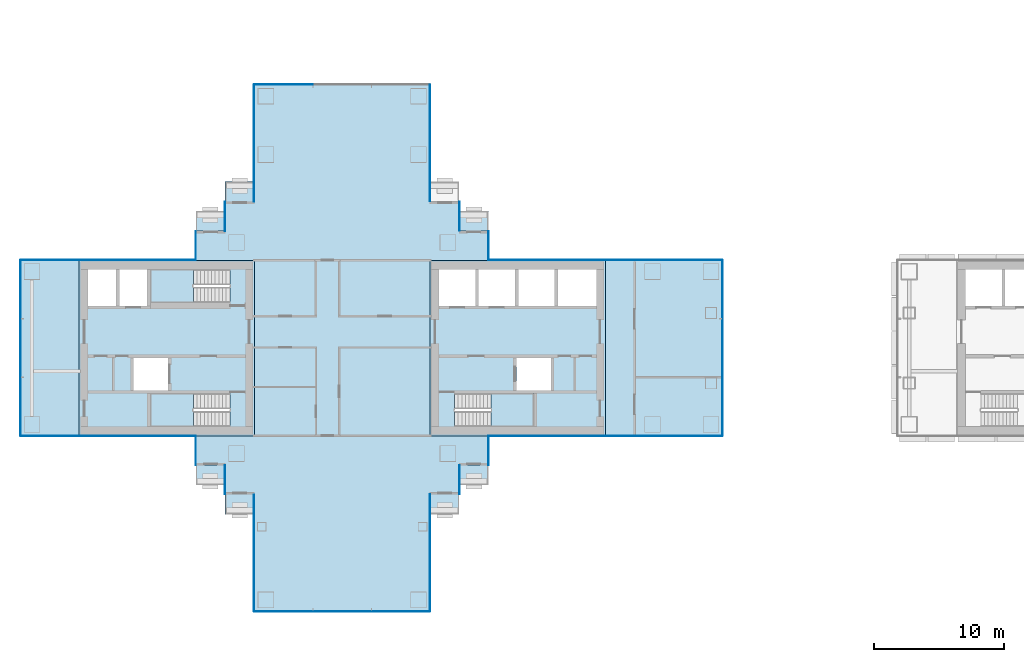
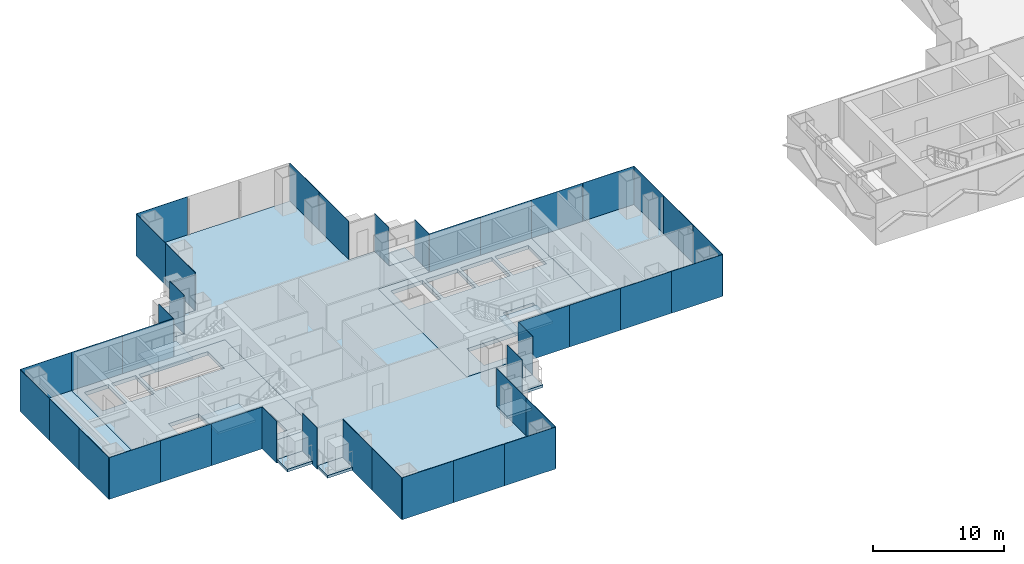
# One storey, part 8 of 19: 40 plates, 15 slabs, 23 elements without a shape of their own.
"""IFC4 building model written with IfcOpenShell, lengths in metres."""

from ifc_helpers import new_model, si_unit, direction, frame, origin, origin_2d, place, context, subcontext, project, spatial, polyline, rectangle, outline, extrude, material, layer, layer_set, type_object, element, aggregate, save


model = new_model("IFC4")

# Units and contexts
model_context = context("Model", 3, precision=1e-05, world=origin(), true_north=direction((0.0, 1.0)))
body_context = subcontext(model_context, "Body", "Model", "MODEL_VIEW")
ifc_project = project(units=[si_unit("LENGTHUNIT", "METRE"), si_unit("AREAUNIT", "SQUARE_METRE"), si_unit("VOLUMEUNIT", "CUBIC_METRE"), si_unit("PLANEANGLEUNIT", "RADIAN"), si_unit("MASSUNIT", "GRAM", prefix="KILO")], contexts=[model_context])

# Site, building, storey
site_placement = place(None, origin())
site = spatial("IfcSite", under=ifc_project, at=site_placement, CompositionType="ELEMENT")
building_placement = place(site_placement, origin())
building = spatial("IfcBuilding", under=site, at=building_placement, Name="Shamsa Quay Exchange Towers", CompositionType="ELEMENT")
storey_placement = place(building_placement, frame((0.0, 0.0, 85.800048828125)))
storey = spatial("IfcBuildingStorey", under=building, at=storey_placement, Name="L19", CompositionType="ELEMENT", Elevation=85.800048828125)

# Slabs
ifc_material_1 = material(Name="Precast concrete C40/50", Category="concrete")
ifc_layer_1 = layer(ifc_material_1, 0.25)
ifc_layer_set_1 = layer_set([ifc_layer_1], Name="BALCONY SLAB 250")
slab_type_1 = type_object("IfcSlabType", Name="BALCONY SLAB 250", PredefinedType="FLOOR", material=ifc_layer_set_1)
slab_1_placement = place(storey_placement, frame((0.0, 0.0, -0.25)))
element("IfcSlab", 1, at=slab_1_placement, inside=storey, type_object=slab_type_1, Name="Balcony T1-PKEN L19", PredefinedType="FLOOR", context=body_context, shape_type="SweptSolid", body=[
    extrude(outline(polyline([(-22.5, 9.0), (-24.7119140625, 9.0), (-24.7119140625, 10.550048828125), (-22.5, 10.550048828125), (-22.5, 9.0)])), origin(), (0.0, 0.0, 1.0), 0.25),
])
slab_2_placement = place(storey_placement, frame((0.0, 0.0, -0.25)))
element("IfcSlab", 2, at=slab_2_placement, inside=storey, type_object=slab_type_1, Name="Balcony T1-PKES L19", PredefinedType="FLOOR", context=body_context, shape_type="SweptSolid", body=[
    extrude(outline(polyline([(-24.7119140625, -9.0), (-22.5, -9.0), (-22.5, -10.550048828125), (-24.7119140625, -10.550048828125), (-24.7119140625, -9.0)])), origin(), (0.0, 0.0, 1.0), 0.25),
])
slab_3_placement = place(storey_placement, frame((0.0, 0.0, -0.25)))
element("IfcSlab", 3, at=slab_3_placement, inside=storey, type_object=slab_type_1, Name="Balcony T1-PKES L19", PredefinedType="FLOOR", context=body_context, shape_type="SweptSolid", body=[
    extrude(outline(polyline([(-26.9619140625, -11.25), (-24.75, -11.25), (-24.75, -12.800048828125), (-26.9619140625, -12.800048828125), (-26.9619140625, -11.25)])), origin(), (0.0, 0.0, 1.0), 0.25),
])
slab_4_placement = place(storey_placement, frame((0.0, 0.0, -0.25)))
element("IfcSlab", 4, at=slab_4_placement, inside=storey, type_object=slab_type_1, Name="Balcony T1-PKWN L19", PredefinedType="FLOOR", context=body_context, shape_type="SweptSolid", body=[
    extrude(outline(polyline([(-40.5380859375, 11.25), (-42.75, 11.25), (-42.75, 12.800048828125), (-40.5380859375, 12.800048828125), (-40.5380859375, 11.25)])), origin(), (0.0, 0.0, 1.0), 0.25),
])
slab_5_placement = place(storey_placement, frame((0.0, 0.0, -0.25)))
element("IfcSlab", 5, at=slab_5_placement, inside=storey, type_object=slab_type_1, Name="Balcony T1-PKWN L19", PredefinedType="FLOOR", context=body_context, shape_type="SweptSolid", body=[
    extrude(outline(polyline([(-42.7880859375, 9.0), (-45.0, 9.0), (-45.0, 10.550048828125), (-42.7880859375, 10.550048828125), (-42.7880859375, 9.0)])), origin(), (0.0, 0.0, 1.0), 0.25),
])
slab_6_placement = place(storey_placement, frame((0.0, 0.0, -0.25)))
element("IfcSlab", 6, at=slab_6_placement, inside=storey, type_object=slab_type_1, Name="Balcony T1-PKWS L19", PredefinedType="FLOOR", context=body_context, shape_type="SweptSolid", body=[
    extrude(outline(polyline([(-45.0, -9.0), (-42.7880859375, -9.0), (-42.7880859375, -10.550048828125), (-45.0, -10.550048828125), (-45.0, -9.0)])), origin(), (0.0, 0.0, 1.0), 0.25),
])
slab_7_placement = place(storey_placement, frame((0.0, 0.0, -0.25)))
element("IfcSlab", 7, at=slab_7_placement, inside=storey, type_object=slab_type_1, Name="Balcony T1-PKWS L19", PredefinedType="FLOOR", context=body_context, shape_type="SweptSolid", body=[
    extrude(outline(polyline([(-42.75, -11.25), (-40.5380859375, -11.25), (-40.5380859375, -12.800048828125), (-42.75, -12.800048828125), (-42.75, -11.25)])), origin(), (0.0, 0.0, 1.0), 0.25),
])
ifc_material_2 = material(Name="Concrete C50/60", Category="concrete")
ifc_layer_2 = layer(ifc_material_2, 0.35009765625)
ifc_layer_set_2 = layer_set([ifc_layer_2], Name="CORE FLOOR 350 C50/60")
slab_type_2 = type_object("IfcSlabType", Name="CORE FLOOR 350 C50/60", PredefinedType="FLOOR", material=ifc_layer_set_2)
slab_8_placement = place(storey_placement, frame((0.0, 0.0, -0.35009765625)))
element("IfcSlab", 8, at=slab_8_placement, inside=storey, type_object=slab_type_2, Name="Core floor T1A", PredefinedType="FLOOR", context=body_context, shape_type="SweptSolid", body=[
    extrude(outline(polyline([(-27.0, -6.75), (-13.5, -6.75), (-13.5, 6.75), (-27.0, 6.75), (-27.0, -6.75)]), holes=[polyline([(-25.099365234375, -6.050048828125), (-25.099365234375, -3.5), (-19.0, -3.5), (-19.0, -6.050048828125), (-25.099365234375, -6.050048828125)]), polyline([(-26.300048828125, 3.25), (-26.300048828125, 6.050048828125), (-23.5, 6.050048828125), (-23.5, 3.25), (-26.300048828125, 3.25)]), polyline([(-23.25, 3.25), (-23.25, 6.050048828125), (-20.449951171875, 6.050048828125), (-20.449951171875, 3.25), (-23.25, 3.25)]), polyline([(-20.199951171875, 3.25), (-20.199951171875, 6.050048828125), (-17.39990234375, 6.050048828125), (-17.39990234375, 3.25), (-20.199951171875, 3.25)]), polyline([(-17.14990234375, 3.25), (-17.14990234375, 6.050048828125), (-14.199951171875, 6.050048828125), (-14.199951171875, 3.25), (-17.14990234375, 3.25)]), polyline([(-20.35009765625, -3.25), (-20.35009765625, -0.75), (-17.699951171875, -0.75), (-17.699951171875, -3.25), (-20.35009765625, -3.25)])]), origin(), (0.0, 0.0, 1.0), 0.35009765625),
])
slab_9_placement = place(storey_placement, frame((0.0, 0.0, -0.35009765625)))
element("IfcSlab", 9, at=slab_9_placement, inside=storey, type_object=slab_type_2, Name="Core floor T1B", PredefinedType="FLOOR", context=body_context, shape_type="SweptSolid", body=[
    extrude(outline(polyline([(-40.5, -6.75), (-40.5, 6.75), (-54.0, 6.75), (-54.0, -6.75), (-40.5, -6.75)]), holes=[polyline([(-42.400634765625, -3.5), (-42.400634765625, -6.050048828125), (-48.5, -6.050048828125), (-48.5, -3.5), (-42.400634765625, -3.5)]), polyline([(-42.400634765625, 6.050048828125), (-42.400634765625, 3.5), (-48.5, 3.5), (-48.5, 6.050048828125), (-42.400634765625, 6.050048828125)]), polyline([(-48.75, 3.25), (-50.89990234375, 3.25), (-50.89990234375, 6.050048828125), (-48.75, 6.050048828125), (-48.75, 3.25)]), polyline([(-51.14990234375, 3.25), (-53.300048828125, 3.25), (-53.300048828125, 6.050048828125), (-51.14990234375, 6.050048828125), (-51.14990234375, 3.25)]), polyline([(-47.14990234375, -3.25), (-49.800048828125, -3.25), (-49.800048828125, -0.75), (-47.14990234375, -0.75), (-47.14990234375, -3.25)])]), origin(), (0.0, 0.0, 1.0), 0.35009765625),
])

# Stair, slab
ifc_material_3 = material(Name="Concrete C40/50", Category="concrete")
stair_type = type_object("IfcStairType", Name="EXIT STAIR 22 RISERS 177 MM", PredefinedType="HALF_TURN_STAIR", material=ifc_material_3)
stair_1_placement = place(storey_placement, origin())
stair_1 = element("IfcStair", 10, at=stair_1_placement, inside=storey, type_object=stair_type, Name="L19 Exit stair ST1", PredefinedType="HALF_TURN_STAIR")
ifc_layer_3 = layer(ifc_material_3, 0.199951171875)
ifc_layer_set_3 = layer_set([ifc_layer_3], Name="CORE STAIR LANDING")
slab_type_3 = type_object("IfcSlabType", Name="CORE STAIR LANDING", PredefinedType="LANDING", material=ifc_layer_set_3)
slab_10_placement = place(storey_placement, frame((0.0, 0.0, 1.75)))
slab_10 = element("IfcSlab", 11, at=slab_10_placement, type_object=slab_type_3, Name="ST1 landing 1", PredefinedType="LANDING", context=body_context, shape_type="SweptSolid", body=[
    extrude(outline(polyline([(-22.300048828125, -6.050048828125), (-19.0, -6.050048828125), (-19.0, -3.5), (-22.300048828125, -3.5), (-22.300048828125, -6.050048828125)])), origin(), (0.0, 0.0, 1.0), 0.199951171875),
])
aggregate(stair_1, [slab_10])

stair_2_placement = place(storey_placement, origin())
stair_2 = element("IfcStair", 12, at=stair_2_placement, inside=storey, type_object=stair_type, Name="L19 Exit stair ST2", PredefinedType="HALF_TURN_STAIR")
slab_11_placement = place(storey_placement, frame((0.0, 0.0, 1.75)))
slab_11 = element("IfcSlab", 13, at=slab_11_placement, type_object=slab_type_3, Name="ST2 landing 1", PredefinedType="LANDING", context=body_context, shape_type="SweptSolid", body=[
    extrude(outline(polyline([(-45.199951171875, -3.5), (-48.5, -3.5), (-48.5, -6.050048828125), (-45.199951171875, -6.050048828125), (-45.199951171875, -3.5)])), origin(), (0.0, 0.0, 1.0), 0.199951171875),
])
aggregate(stair_2, [slab_11])

stair_3_placement = place(storey_placement, origin())
stair_3 = element("IfcStair", 14, at=stair_3_placement, inside=storey, type_object=stair_type, Name="L19 Exit stair ST3", PredefinedType="HALF_TURN_STAIR")
slab_12_placement = place(storey_placement, frame((0.0, 0.0, 1.75)))
slab_12 = element("IfcSlab", 15, at=slab_12_placement, type_object=slab_type_3, Name="ST3 landing 1", PredefinedType="LANDING", context=body_context, shape_type="SweptSolid", body=[
    extrude(outline(polyline([(-45.199951171875, 6.050048828125), (-48.5, 6.050048828125), (-48.5, 3.5), (-45.199951171875, 3.5), (-45.199951171875, 6.050048828125)])), origin(), (0.0, 0.0, 1.0), 0.199951171875),
])
aggregate(stair_3, [slab_12])

# Curtain wall, plates
ifc_material_4 = material(Name="Aluminium EN AW-6063 T6, black anodised", Category="aluminium")
ifc_layer_4 = layer(ifc_material_4, 0.280029296875)
ifc_layer_set_4 = layer_set([ifc_layer_4], Name="CW-1 UNITISED VISION GLASS")
curtain_wall_type_1 = type_object("IfcCurtainWallType", Name="CW-1 UNITISED VISION GLASS", PredefinedType="NOTDEFINED", material=ifc_layer_set_4)
curtain_wall_1_placement = place(storey_placement, origin())
curtain_wall_1 = element("IfcCurtainWall", 16, at=curtain_wall_1_placement, inside=storey, type_object=curtain_wall_type_1, Name="CW1 T1-FLK-V-W L19", PredefinedType="NOTDEFINED")
ifc_material_5 = material(Name="Glass, laminated, dark tinted", Category="glass")
ifc_layer_5 = layer(ifc_material_5, 0.0400390625)
ifc_layer_set_5 = layer_set([ifc_layer_5], Name="CW-1 VISION GLASS 40")
plate_type_1 = type_object("IfcPlateType", Name="CW-1 VISION GLASS 40", PredefinedType="CURTAIN_PANEL", material=ifc_layer_set_5)
plate_1_placement = place(storey_placement, frame((-40.52001953125, -13.52587890625, -0.35009765625), z_axis=(0.0, 0.0, 1.0), x_axis=(0.0, -1.0, 0.0)))
plate_1 = element("IfcPlate", 17, at=plate_1_placement, type_object=plate_type_1, Name="CW1 glass panel", PredefinedType="CURTAIN_PANEL", context=body_context, shape_type="SweptSolid", body=[
    extrude(rectangle(XDim=4.47607421875, YDim=0.0400390625, at=origin_2d()), origin(), (0.0, 0.0, 1.0), 3.89990234375),
])
plate_2_placement = place(storey_placement, frame((-40.52001953125, -18.011962890625, -0.35009765625), z_axis=(0.0, 0.0, 1.0), x_axis=(0.0, -1.0, 0.0)))
plate_2 = element("IfcPlate", 18, at=plate_2_placement, type_object=plate_type_1, Name="CW1 glass panel", PredefinedType="CURTAIN_PANEL", context=body_context, shape_type="SweptSolid", body=[
    extrude(rectangle(XDim=4.47607421875, YDim=0.0400390625, at=origin_2d()), origin(), (0.0, 0.0, 1.0), 3.89990234375),
])
aggregate(curtain_wall_1, [plate_1, plate_2])

curtain_wall_2_placement = place(storey_placement, origin())
curtain_wall_2 = element("IfcCurtainWall", 19, at=curtain_wall_2_placement, inside=storey, type_object=curtain_wall_type_1, Name="CW1 T1-END-V- L19", PredefinedType="NOTDEFINED")
plate_3_placement = place(storey_placement, frame((-38.25244140625, -20.27001953125, -0.35009765625)))
plate_3 = element("IfcPlate", 20, at=plate_3_placement, type_object=plate_type_1, Name="CW1 glass panel", PredefinedType="CURTAIN_PANEL", context=body_context, shape_type="SweptSolid", body=[
    extrude(rectangle(XDim=4.4951171875, YDim=0.0400390625, at=origin_2d()), origin(), (0.0, 0.0, 1.0), 3.89990234375),
])
plate_4_placement = place(storey_placement, frame((-33.75, -20.27001953125, -0.35009765625)))
plate_4 = element("IfcPlate", 21, at=plate_4_placement, type_object=plate_type_1, Name="CW1 glass panel", PredefinedType="CURTAIN_PANEL", context=body_context, shape_type="SweptSolid", body=[
    extrude(rectangle(XDim=4.489990234375, YDim=0.0400390625, at=origin_2d()), origin(), (0.0, 0.0, 1.0), 3.89990234375),
])
plate_5_placement = place(storey_placement, frame((-29.24755859375, -20.27001953125, -0.35009765625)))
plate_5 = element("IfcPlate", 22, at=plate_5_placement, type_object=plate_type_1, Name="CW1 glass panel", PredefinedType="CURTAIN_PANEL", context=body_context, shape_type="SweptSolid", body=[
    extrude(rectangle(XDim=4.4951171875, YDim=0.0400390625, at=origin_2d()), origin(), (0.0, 0.0, 1.0), 3.89990234375),
])
aggregate(curtain_wall_2, [plate_3, plate_4, plate_5])

curtain_wall_3_placement = place(storey_placement, origin())
curtain_wall_3 = element("IfcCurtainWall", 23, at=curtain_wall_3_placement, inside=storey, type_object=curtain_wall_type_1, Name="CW1 T1-FLK-V-E L19", PredefinedType="NOTDEFINED")
plate_6_placement = place(storey_placement, frame((-26.97998046875, -18.00244140625, -0.35009765625), z_axis=(0.0, 0.0, 1.0), x_axis=(0.0, 1.0, 0.0)))
plate_6 = element("IfcPlate", 24, at=plate_6_placement, type_object=plate_type_1, Name="CW1 glass panel", PredefinedType="CURTAIN_PANEL", context=body_context, shape_type="SweptSolid", body=[
    extrude(rectangle(XDim=4.4951171875, YDim=0.0400390625, at=origin_2d()), origin(), (0.0, 0.0, 1.0), 3.89990234375),
])
plate_7_placement = place(storey_placement, frame((-26.97998046875, -13.49755859375, -0.35009765625), z_axis=(0.0, 0.0, 1.0), x_axis=(0.0, 1.0, 0.0)))
plate_7 = element("IfcPlate", 25, at=plate_7_placement, type_object=plate_type_1, Name="CW1 glass panel", PredefinedType="CURTAIN_PANEL", context=body_context, shape_type="SweptSolid", body=[
    extrude(rectangle(XDim=4.4951171875, YDim=0.0400390625, at=origin_2d()), origin(), (0.0, 0.0, 1.0), 3.89990234375),
])
aggregate(curtain_wall_3, [plate_6, plate_7])

curtain_wall_4_placement = place(storey_placement, origin())
curtain_wall_4 = element("IfcCurtainWall", 26, at=curtain_wall_4_placement, inside=storey, type_object=curtain_wall_type_1, Name="CW1 T1-FLK-U+S L19", PredefinedType="NOTDEFINED")
plate_8_placement = place(storey_placement, frame((-11.25244140625, -6.77001953125, -0.35009765625)))
plate_8 = element("IfcPlate", 27, at=plate_8_placement, type_object=plate_type_1, Name="CW1 glass panel", PredefinedType="CURTAIN_PANEL", context=body_context, shape_type="SweptSolid", body=[
    extrude(rectangle(XDim=4.4951171875, YDim=0.0400390625, at=origin_2d()), origin(), (0.0, 0.0, 1.0), 3.89990234375),
])
plate_9_placement = place(storey_placement, frame((-6.74755859375, -6.77001953125, -0.35009765625)))
plate_9 = element("IfcPlate", 28, at=plate_9_placement, type_object=plate_type_1, Name="CW1 glass panel", PredefinedType="CURTAIN_PANEL", context=body_context, shape_type="SweptSolid", body=[
    extrude(rectangle(XDim=4.4951171875, YDim=0.0400390625, at=origin_2d()), origin(), (0.0, 0.0, 1.0), 3.89990234375),
])
aggregate(curtain_wall_4, [plate_8, plate_9])

curtain_wall_5_placement = place(storey_placement, origin())
curtain_wall_5 = element("IfcCurtainWall", 29, at=curtain_wall_5_placement, inside=storey, type_object=curtain_wall_type_1, Name="CW1 T1-END-U+ L19", PredefinedType="NOTDEFINED")
plate_10_placement = place(storey_placement, frame((-4.47998046875, -4.50244140625, -0.35009765625), z_axis=(0.0, 0.0, 1.0), x_axis=(0.0, 1.0, 0.0)))
plate_10 = element("IfcPlate", 30, at=plate_10_placement, type_object=plate_type_1, Name="CW1 glass panel", PredefinedType="CURTAIN_PANEL", context=body_context, shape_type="SweptSolid", body=[
    extrude(rectangle(XDim=4.4951171875, YDim=0.0400390625, at=origin_2d()), origin(), (0.0, 0.0, 1.0), 3.89990234375),
])
plate_11_placement = place(storey_placement, frame((-4.47998046875, 0.0, -0.35009765625), z_axis=(0.0, 0.0, 1.0), x_axis=(0.0, 1.0, 0.0)))
plate_11 = element("IfcPlate", 31, at=plate_11_placement, type_object=plate_type_1, Name="CW1 glass panel", PredefinedType="CURTAIN_PANEL", context=body_context, shape_type="SweptSolid", body=[
    extrude(rectangle(XDim=4.489990234375, YDim=0.0400390625, at=origin_2d()), origin(), (0.0, 0.0, 1.0), 3.89990234375),
])
plate_12_placement = place(storey_placement, frame((-4.47998046875, 4.50244140625, -0.35009765625), z_axis=(0.0, 0.0, 1.0), x_axis=(0.0, 1.0, 0.0)))
plate_12 = element("IfcPlate", 32, at=plate_12_placement, type_object=plate_type_1, Name="CW1 glass panel", PredefinedType="CURTAIN_PANEL", context=body_context, shape_type="SweptSolid", body=[
    extrude(rectangle(XDim=4.4951171875, YDim=0.0400390625, at=origin_2d()), origin(), (0.0, 0.0, 1.0), 3.89990234375),
])
aggregate(curtain_wall_5, [plate_10, plate_11, plate_12])

curtain_wall_6_placement = place(storey_placement, origin())
curtain_wall_6 = element("IfcCurtainWall", 33, at=curtain_wall_6_placement, inside=storey, type_object=curtain_wall_type_1, Name="CW1 T1-FLK-U+N L19", PredefinedType="NOTDEFINED")
plate_13_placement = place(storey_placement, frame((-6.74755859375, 6.77001953125, -0.35009765625), z_axis=(0.0, 0.0, 1.0), x_axis=(-1.0, 0.0, 0.0)))
plate_13 = element("IfcPlate", 34, at=plate_13_placement, type_object=plate_type_1, Name="CW1 glass panel", PredefinedType="CURTAIN_PANEL", context=body_context, shape_type="SweptSolid", body=[
    extrude(rectangle(XDim=4.4951171875, YDim=0.0400390625, at=origin_2d()), origin(), (0.0, 0.0, 1.0), 3.89990234375),
])
plate_14_placement = place(storey_placement, frame((-11.25244140625, 6.77001953125, -0.35009765625), z_axis=(0.0, 0.0, 1.0), x_axis=(-1.0, 0.0, 0.0)))
plate_14 = element("IfcPlate", 35, at=plate_14_placement, type_object=plate_type_1, Name="CW1 glass panel", PredefinedType="CURTAIN_PANEL", context=body_context, shape_type="SweptSolid", body=[
    extrude(rectangle(XDim=4.4951171875, YDim=0.0400390625, at=origin_2d()), origin(), (0.0, 0.0, 1.0), 3.89990234375),
])
aggregate(curtain_wall_6, [plate_13, plate_14])

curtain_wall_7_placement = place(storey_placement, origin())
curtain_wall_7 = element("IfcCurtainWall", 36, at=curtain_wall_7_placement, inside=storey, type_object=curtain_wall_type_1, Name="CW1 T1-FLK-V+E L19", PredefinedType="NOTDEFINED")
plate_15_placement = place(storey_placement, frame((-26.97998046875, 13.52587890625, -0.35009765625), z_axis=(0.0, 0.0, 1.0), x_axis=(0.0, 1.0, 0.0)))
plate_15 = element("IfcPlate", 37, at=plate_15_placement, type_object=plate_type_1, Name="CW1 glass panel", PredefinedType="CURTAIN_PANEL", context=body_context, shape_type="SweptSolid", body=[
    extrude(rectangle(XDim=4.47607421875, YDim=0.0400390625, at=origin_2d()), origin(), (0.0, 0.0, 1.0), 3.89990234375),
])
plate_16_placement = place(storey_placement, frame((-26.97998046875, 18.011962890625, -0.35009765625), z_axis=(0.0, 0.0, 1.0), x_axis=(0.0, 1.0, 0.0)))
plate_16 = element("IfcPlate", 38, at=plate_16_placement, type_object=plate_type_1, Name="CW1 glass panel", PredefinedType="CURTAIN_PANEL", context=body_context, shape_type="SweptSolid", body=[
    extrude(rectangle(XDim=4.47607421875, YDim=0.0400390625, at=origin_2d()), origin(), (0.0, 0.0, 1.0), 3.89990234375),
])
aggregate(curtain_wall_7, [plate_15, plate_16])

# Curtain wall, plate
curtain_wall_8_placement = place(storey_placement, origin())
curtain_wall_8 = element("IfcCurtainWall", 39, at=curtain_wall_8_placement, inside=storey, type_object=curtain_wall_type_1, Name="CW1 T1-END-V+ L19", PredefinedType="NOTDEFINED")
plate_17_placement = place(storey_placement, frame((-38.25244140625, 20.27001953125, -0.35009765625), z_axis=(0.0, 0.0, 1.0), x_axis=(-1.0, 0.0, 0.0)))
plate_17 = element("IfcPlate", 40, at=plate_17_placement, type_object=plate_type_1, Name="CW1 glass panel", PredefinedType="CURTAIN_PANEL", context=body_context, shape_type="SweptSolid", body=[
    extrude(rectangle(XDim=4.4951171875, YDim=0.0400390625, at=origin_2d()), origin(), (0.0, 0.0, 1.0), 3.89990234375),
])
aggregate(curtain_wall_8, [plate_17])

# Curtain wall, plates
curtain_wall_9_placement = place(storey_placement, origin())
curtain_wall_9 = element("IfcCurtainWall", 41, at=curtain_wall_9_placement, inside=storey, type_object=curtain_wall_type_1, Name="CW1 T1-FLK-V+W L19", PredefinedType="NOTDEFINED")
plate_18_placement = place(storey_placement, frame((-40.52001953125, 18.00244140625, -0.35009765625), z_axis=(0.0, 0.0, 1.0), x_axis=(0.0, -1.0, 0.0)))
plate_18 = element("IfcPlate", 42, at=plate_18_placement, type_object=plate_type_1, Name="CW1 glass panel", PredefinedType="CURTAIN_PANEL", context=body_context, shape_type="SweptSolid", body=[
    extrude(rectangle(XDim=4.4951171875, YDim=0.0400390625, at=origin_2d()), origin(), (0.0, 0.0, 1.0), 3.89990234375),
])
plate_19_placement = place(storey_placement, frame((-40.52001953125, 13.49755859375, -0.35009765625), z_axis=(0.0, 0.0, 1.0), x_axis=(0.0, -1.0, 0.0)))
plate_19 = element("IfcPlate", 43, at=plate_19_placement, type_object=plate_type_1, Name="CW1 glass panel", PredefinedType="CURTAIN_PANEL", context=body_context, shape_type="SweptSolid", body=[
    extrude(rectangle(XDim=4.4951171875, YDim=0.0400390625, at=origin_2d()), origin(), (0.0, 0.0, 1.0), 3.89990234375),
])
aggregate(curtain_wall_9, [plate_18, plate_19])

# Curtain wall, plate
curtain_wall_10_placement = place(storey_placement, origin())
curtain_wall_10 = element("IfcCurtainWall", 44, at=curtain_wall_10_placement, inside=storey, type_object=curtain_wall_type_1, Name="CW1 T1-FLK-U-N L19", PredefinedType="NOTDEFINED")
plate_20_placement = place(storey_placement, frame((-56.25, 6.77001953125, -0.35009765625), z_axis=(0.0, 0.0, 1.0), x_axis=(-1.0, 0.0, 0.0)))
plate_20 = element("IfcPlate", 45, at=plate_20_placement, type_object=plate_type_1, Name="CW1 glass panel", PredefinedType="CURTAIN_PANEL", context=body_context, shape_type="SweptSolid", body=[
    extrude(rectangle(XDim=4.5, YDim=0.0400390625, at=origin_2d()), origin(), (0.0, 0.0, 1.0), 3.89990234375),
])
aggregate(curtain_wall_10, [plate_20])

# Curtain wall, plates
curtain_wall_11_placement = place(storey_placement, origin())
curtain_wall_11 = element("IfcCurtainWall", 46, at=curtain_wall_11_placement, inside=storey, type_object=curtain_wall_type_1, Name="CW1 T1-END-U- L19", PredefinedType="NOTDEFINED")
plate_21_placement = place(storey_placement, frame((-58.52001953125, 4.50244140625, -0.35009765625), z_axis=(0.0, 0.0, 1.0), x_axis=(0.0, -1.0, 0.0)))
plate_21 = element("IfcPlate", 47, at=plate_21_placement, type_object=plate_type_1, Name="CW1 glass panel", PredefinedType="CURTAIN_PANEL", context=body_context, shape_type="SweptSolid", body=[
    extrude(rectangle(XDim=4.4951171875, YDim=0.0400390625, at=origin_2d()), origin(), (0.0, 0.0, 1.0), 3.89990234375),
])
plate_22_placement = place(storey_placement, frame((-58.52001953125, 0.0, -0.35009765625), z_axis=(0.0, 0.0, 1.0), x_axis=(0.0, -1.0, 0.0)))
plate_22 = element("IfcPlate", 48, at=plate_22_placement, type_object=plate_type_1, Name="CW1 glass panel", PredefinedType="CURTAIN_PANEL", context=body_context, shape_type="SweptSolid", body=[
    extrude(rectangle(XDim=4.489990234375, YDim=0.0400390625, at=origin_2d()), origin(), (0.0, 0.0, 1.0), 3.89990234375),
])
plate_23_placement = place(storey_placement, frame((-58.52001953125, -4.50244140625, -0.35009765625), z_axis=(0.0, 0.0, 1.0), x_axis=(0.0, -1.0, 0.0)))
plate_23 = element("IfcPlate", 49, at=plate_23_placement, type_object=plate_type_1, Name="CW1 glass panel", PredefinedType="CURTAIN_PANEL", context=body_context, shape_type="SweptSolid", body=[
    extrude(rectangle(XDim=4.4951171875, YDim=0.0400390625, at=origin_2d()), origin(), (0.0, 0.0, 1.0), 3.89990234375),
])
aggregate(curtain_wall_11, [plate_21, plate_22, plate_23])

# Curtain wall, plate
curtain_wall_12_placement = place(storey_placement, origin())
curtain_wall_12 = element("IfcCurtainWall", 50, at=curtain_wall_12_placement, inside=storey, type_object=curtain_wall_type_1, Name="CW1 T1-FLK-U-S L19", PredefinedType="NOTDEFINED")
plate_24_placement = place(storey_placement, frame((-56.25, -6.77001953125, -0.35009765625)))
plate_24 = element("IfcPlate", 51, at=plate_24_placement, type_object=plate_type_1, Name="CW1 glass panel", PredefinedType="CURTAIN_PANEL", context=body_context, shape_type="SweptSolid", body=[
    extrude(rectangle(XDim=4.5, YDim=0.0400390625, at=origin_2d()), origin(), (0.0, 0.0, 1.0), 3.89990234375),
])
aggregate(curtain_wall_12, [plate_24])

# Curtain wall, plates
ifc_layer_6 = layer(ifc_material_4, 0.303955078125)
ifc_layer_set_6 = layer_set([ifc_layer_6], Name="CW-2 UNITISED OPAQUE SPANDREL GLASS")
curtain_wall_type_2 = type_object("IfcCurtainWallType", Name="CW-2 UNITISED OPAQUE SPANDREL GLASS", PredefinedType="NOTDEFINED", material=ifc_layer_set_6)
curtain_wall_13_placement = place(storey_placement, origin())
curtain_wall_13 = element("IfcCurtainWall", 52, at=curtain_wall_13_placement, inside=storey, type_object=curtain_wall_type_2, Name="CW2 T1-FLK-U+S L19", PredefinedType="NOTDEFINED")
ifc_material_6 = material(Name="Glass, laminated, black enamelled opaque", Category="glass")
ifc_layer_7 = layer(ifc_material_6, 0.0439453125)
ifc_layer_set_7 = layer_set([ifc_layer_7], Name="CW-2 SPANDREL GLASS 44")
plate_type_2 = type_object("IfcPlateType", Name="CW-2 SPANDREL GLASS 44", PredefinedType="CURTAIN_PANEL", material=ifc_layer_set_7)
plate_25_placement = place(storey_placement, frame((-20.22412109375, -6.77197265625, -0.35009765625)))
plate_25 = element("IfcPlate", 53, at=plate_25_placement, type_object=plate_type_2, Name="CW2 glass panel", PredefinedType="CURTAIN_PANEL", context=body_context, shape_type="SweptSolid", body=[
    extrude(rectangle(XDim=4.47607421875, YDim=0.0439453125, at=origin_2d()), origin(), (0.0, 0.0, 1.0), 3.89990234375),
])
plate_26_placement = place(storey_placement, frame((-15.738037109375, -6.77197265625, -0.35009765625)))
plate_26 = element("IfcPlate", 54, at=plate_26_placement, type_object=plate_type_2, Name="CW2 glass panel", PredefinedType="CURTAIN_PANEL", context=body_context, shape_type="SweptSolid", body=[
    extrude(rectangle(XDim=4.47607421875, YDim=0.0439453125, at=origin_2d()), origin(), (0.0, 0.0, 1.0), 3.89990234375),
])
aggregate(curtain_wall_13, [plate_25, plate_26])

curtain_wall_14_placement = place(storey_placement, origin())
curtain_wall_14 = element("IfcCurtainWall", 55, at=curtain_wall_14_placement, inside=storey, type_object=curtain_wall_type_2, Name="CW2 T1-FLK-U+N L19", PredefinedType="NOTDEFINED")
plate_27_placement = place(storey_placement, frame((-15.74755859375, 6.77197265625, -0.35009765625), z_axis=(0.0, 0.0, 1.0), x_axis=(-1.0, 0.0, 0.0)))
plate_27 = element("IfcPlate", 56, at=plate_27_placement, type_object=plate_type_2, Name="CW2 glass panel", PredefinedType="CURTAIN_PANEL", context=body_context, shape_type="SweptSolid", body=[
    extrude(rectangle(XDim=4.4951171875, YDim=0.0439453125, at=origin_2d()), origin(), (0.0, 0.0, 1.0), 3.89990234375),
])
plate_28_placement = place(storey_placement, frame((-20.25244140625, 6.77197265625, -0.35009765625), z_axis=(0.0, 0.0, 1.0), x_axis=(-1.0, 0.0, 0.0)))
plate_28 = element("IfcPlate", 57, at=plate_28_placement, type_object=plate_type_2, Name="CW2 glass panel", PredefinedType="CURTAIN_PANEL", context=body_context, shape_type="SweptSolid", body=[
    extrude(rectangle(XDim=4.4951171875, YDim=0.0439453125, at=origin_2d()), origin(), (0.0, 0.0, 1.0), 3.89990234375),
])
aggregate(curtain_wall_14, [plate_27, plate_28])

curtain_wall_15_placement = place(storey_placement, origin())
curtain_wall_15 = element("IfcCurtainWall", 58, at=curtain_wall_15_placement, inside=storey, type_object=curtain_wall_type_2, Name="CW2 T1-FLK-U-N L19", PredefinedType="NOTDEFINED")
plate_29_placement = place(storey_placement, frame((-47.27587890625, 6.77197265625, -0.35009765625), z_axis=(0.0, 0.0, 1.0), x_axis=(-1.0, 0.0, 0.0)))
plate_29 = element("IfcPlate", 59, at=plate_29_placement, type_object=plate_type_2, Name="CW2 glass panel", PredefinedType="CURTAIN_PANEL", context=body_context, shape_type="SweptSolid", body=[
    extrude(rectangle(XDim=4.47607421875, YDim=0.0439453125, at=origin_2d()), origin(), (0.0, 0.0, 1.0), 3.89990234375),
])
plate_30_placement = place(storey_placement, frame((-51.761962890625, 6.77197265625, -0.35009765625), z_axis=(0.0, 0.0, 1.0), x_axis=(-1.0, 0.0, 0.0)))
plate_30 = element("IfcPlate", 60, at=plate_30_placement, type_object=plate_type_2, Name="CW2 glass panel", PredefinedType="CURTAIN_PANEL", context=body_context, shape_type="SweptSolid", body=[
    extrude(rectangle(XDim=4.47607421875, YDim=0.0439453125, at=origin_2d()), origin(), (0.0, 0.0, 1.0), 3.89990234375),
])
aggregate(curtain_wall_15, [plate_29, plate_30])

curtain_wall_16_placement = place(storey_placement, origin())
curtain_wall_16 = element("IfcCurtainWall", 61, at=curtain_wall_16_placement, inside=storey, type_object=curtain_wall_type_2, Name="CW2 T1-FLK-U-S L19", PredefinedType="NOTDEFINED")
plate_31_placement = place(storey_placement, frame((-51.75244140625, -6.77197265625, -0.35009765625)))
plate_31 = element("IfcPlate", 62, at=plate_31_placement, type_object=plate_type_2, Name="CW2 glass panel", PredefinedType="CURTAIN_PANEL", context=body_context, shape_type="SweptSolid", body=[
    extrude(rectangle(XDim=4.4951171875, YDim=0.0439453125, at=origin_2d()), origin(), (0.0, 0.0, 1.0), 3.89990234375),
])
plate_32_placement = place(storey_placement, frame((-47.24755859375, -6.77197265625, -0.35009765625)))
plate_32 = element("IfcPlate", 63, at=plate_32_placement, type_object=plate_type_2, Name="CW2 glass panel", PredefinedType="CURTAIN_PANEL", context=body_context, shape_type="SweptSolid", body=[
    extrude(rectangle(XDim=4.4951171875, YDim=0.0439453125, at=origin_2d()), origin(), (0.0, 0.0, 1.0), 3.89990234375),
])
aggregate(curtain_wall_16, [plate_31, plate_32])

ifc_layer_8 = layer(ifc_material_4, 0.256103515625)
ifc_layer_set_8 = layer_set([ifc_layer_8], Name="CW-4 POCKET SERRATED GLAZING")
curtain_wall_type_3 = type_object("IfcCurtainWallType", Name="CW-4 POCKET SERRATED GLAZING", PredefinedType="NOTDEFINED", material=ifc_layer_set_8)
curtain_wall_17_placement = place(storey_placement, origin())
curtain_wall_17 = element("IfcCurtainWall", 64, at=curtain_wall_17_placement, inside=storey, type_object=curtain_wall_type_3, Name="CW4 PKWS L19", PredefinedType="NOTDEFINED")
ifc_layer_9 = layer(ifc_material_5, 0.035888671875)
ifc_layer_set_9 = layer_set([ifc_layer_9], Name="CW-4 POCKET GLASS 36")
plate_type_3 = type_object("IfcPlateType", Name="CW-4 POCKET GLASS 36", PredefinedType="CURTAIN_PANEL", material=ifc_layer_set_9)
plate_33_placement = place(storey_placement, frame((-42.76806640625, -10.14404296875, -0.35009765625), z_axis=(0.0, 0.0, 1.0), x_axis=(0.0, -1.0, 0.0)))
plate_33 = element("IfcPlate", 65, at=plate_33_placement, type_object=plate_type_3, Name="CW4 glass panel", PredefinedType="CURTAIN_PANEL", context=body_context, shape_type="SweptSolid", body=[
    extrude(rectangle(XDim=2.2119140625, YDim=0.035888671875, at=origin_2d()), origin(), (0.0, 0.0, 1.0), 3.89990234375),
])
plate_34_placement = place(storey_placement, frame((-45.01806640625, -7.89794921875, -0.35009765625), z_axis=(0.0, 0.0, 1.0), x_axis=(0.0, -1.0, 0.0)))
plate_34 = element("IfcPlate", 66, at=plate_34_placement, type_object=plate_type_3, Name="CW4 glass panel", PredefinedType="CURTAIN_PANEL", context=body_context, shape_type="SweptSolid", body=[
    extrude(rectangle(XDim=2.2041015625, YDim=0.035888671875, at=origin_2d()), origin(), (0.0, 0.0, 1.0), 3.89990234375),
])
aggregate(curtain_wall_17, [plate_33, plate_34])

curtain_wall_18_placement = place(storey_placement, origin())
curtain_wall_18 = element("IfcCurtainWall", 67, at=curtain_wall_18_placement, inside=storey, type_object=curtain_wall_type_3, Name="CW4 PKES L19", PredefinedType="NOTDEFINED")
plate_35_placement = place(storey_placement, frame((-24.73193359375, -10.125, -0.35009765625), z_axis=(0.0, 0.0, 1.0), x_axis=(0.0, 1.0, 0.0)))
plate_35 = element("IfcPlate", 68, at=plate_35_placement, type_object=plate_type_3, Name="CW4 glass panel", PredefinedType="CURTAIN_PANEL", context=body_context, shape_type="SweptSolid", body=[
    extrude(rectangle(XDim=2.25, YDim=0.035888671875, at=origin_2d()), origin(), (0.0, 0.0, 1.0), 3.89990234375),
])
plate_36_placement = place(storey_placement, frame((-22.48193359375, -7.875, -0.35009765625), z_axis=(0.0, 0.0, 1.0), x_axis=(0.0, 1.0, 0.0)))
plate_36 = element("IfcPlate", 69, at=plate_36_placement, type_object=plate_type_3, Name="CW4 glass panel", PredefinedType="CURTAIN_PANEL", context=body_context, shape_type="SweptSolid", body=[
    extrude(rectangle(XDim=2.25, YDim=0.035888671875, at=origin_2d()), origin(), (0.0, 0.0, 1.0), 3.89990234375),
])
aggregate(curtain_wall_18, [plate_35, plate_36])

curtain_wall_19_placement = place(storey_placement, origin())
curtain_wall_19 = element("IfcCurtainWall", 70, at=curtain_wall_19_placement, inside=storey, type_object=curtain_wall_type_3, Name="CW4 PKEN L19", PredefinedType="NOTDEFINED")
plate_37_placement = place(storey_placement, frame((-22.48193359375, 7.89794921875, -0.35009765625), z_axis=(0.0, 0.0, 1.0), x_axis=(0.0, 1.0, 0.0)))
plate_37 = element("IfcPlate", 71, at=plate_37_placement, type_object=plate_type_3, Name="CW4 glass panel", PredefinedType="CURTAIN_PANEL", context=body_context, shape_type="SweptSolid", body=[
    extrude(rectangle(XDim=2.2041015625, YDim=0.035888671875, at=origin_2d()), origin(), (0.0, 0.0, 1.0), 3.89990234375),
])
plate_38_placement = place(storey_placement, frame((-24.73193359375, 10.14404296875, -0.35009765625), z_axis=(0.0, 0.0, 1.0), x_axis=(0.0, 1.0, 0.0)))
plate_38 = element("IfcPlate", 72, at=plate_38_placement, type_object=plate_type_3, Name="CW4 glass panel", PredefinedType="CURTAIN_PANEL", context=body_context, shape_type="SweptSolid", body=[
    extrude(rectangle(XDim=2.2119140625, YDim=0.035888671875, at=origin_2d()), origin(), (0.0, 0.0, 1.0), 3.89990234375),
])
aggregate(curtain_wall_19, [plate_37, plate_38])

curtain_wall_20_placement = place(storey_placement, origin())
curtain_wall_20 = element("IfcCurtainWall", 73, at=curtain_wall_20_placement, inside=storey, type_object=curtain_wall_type_3, Name="CW4 PKWN L19", PredefinedType="NOTDEFINED")
plate_39_placement = place(storey_placement, frame((-42.76806640625, 10.125, -0.35009765625), z_axis=(0.0, 0.0, 1.0), x_axis=(0.0, -1.0, 0.0)))
plate_39 = element("IfcPlate", 74, at=plate_39_placement, type_object=plate_type_3, Name="CW4 glass panel", PredefinedType="CURTAIN_PANEL", context=body_context, shape_type="SweptSolid", body=[
    extrude(rectangle(XDim=2.25, YDim=0.035888671875, at=origin_2d()), origin(), (0.0, 0.0, 1.0), 3.89990234375),
])
plate_40_placement = place(storey_placement, frame((-45.01806640625, 7.875, -0.35009765625), z_axis=(0.0, 0.0, 1.0), x_axis=(0.0, -1.0, 0.0)))
plate_40 = element("IfcPlate", 75, at=plate_40_placement, type_object=plate_type_3, Name="CW4 glass panel", PredefinedType="CURTAIN_PANEL", context=body_context, shape_type="SweptSolid", body=[
    extrude(rectangle(XDim=2.25, YDim=0.035888671875, at=origin_2d()), origin(), (0.0, 0.0, 1.0), 3.89990234375),
])
aggregate(curtain_wall_20, [plate_39, plate_40])

# Slabs
ifc_layer_10 = layer(ifc_material_3, 0.35009765625)
ifc_layer_set_10 = layer_set([ifc_layer_10], Name="Flat slab 350")
slab_type_4 = type_object("IfcSlabType", Name="Flat slab 350", PredefinedType="FLOOR", material=ifc_layer_set_10)
slab_13_placement = place(storey_placement, frame((0.0, 0.0, -0.35009765625)))
element("IfcSlab", 76, at=slab_13_placement, inside=storey, type_object=slab_type_4, Name="Flat slab T1 L19 1", PredefinedType="FLOOR", context=body_context, shape_type="SweptSolid", body=[
    extrude(outline(polyline([(-58.5, -6.75), (-54.0, -6.75), (-54.0, 6.75), (-58.5, 6.75), (-58.5, -6.75)])), origin(), (0.0, 0.0, 1.0), 0.35009765625),
])
slab_14_placement = place(storey_placement, frame((0.0, 0.0, -0.35009765625)))
element("IfcSlab", 77, at=slab_14_placement, inside=storey, type_object=slab_type_4, Name="Flat slab T1 L19 2", PredefinedType="FLOOR", context=body_context, shape_type="SweptSolid", body=[
    extrude(outline(polyline([(-22.5, -9.0), (-22.5, -6.75), (-27.0, -6.75), (-27.0, 6.75), (-22.5, 6.75), (-22.5, 9.0), (-24.75, 9.0), (-24.75, 11.25), (-27.0, 11.25), (-27.0, 20.25), (-40.5, 20.25), (-40.5, 11.25), (-42.75, 11.25), (-42.75, 9.0), (-45.0, 9.0), (-45.0, 6.75), (-40.5, 6.75), (-40.5, -6.75), (-45.0, -6.75), (-45.0, -9.0), (-42.75, -9.0), (-42.75, -11.25), (-40.5, -11.25), (-40.5, -20.25), (-27.0, -20.25), (-27.0, -11.25), (-24.75, -11.25), (-24.75, -9.0), (-22.5, -9.0)])), origin(), (0.0, 0.0, 1.0), 0.35009765625),
])
slab_15_placement = place(storey_placement, frame((0.0, 0.0, -0.35009765625)))
element("IfcSlab", 78, at=slab_15_placement, inside=storey, type_object=slab_type_4, Name="Flat slab T1 L19 3", PredefinedType="FLOOR", context=body_context, shape_type="SweptSolid", body=[
    extrude(outline(polyline([(-4.5, 6.75), (-13.5, 6.75), (-13.5, -6.75), (-4.5, -6.75), (-4.5, 6.75)])), origin(), (0.0, 0.0, 1.0), 0.35009765625),
])

save(model, "model.ifc")
